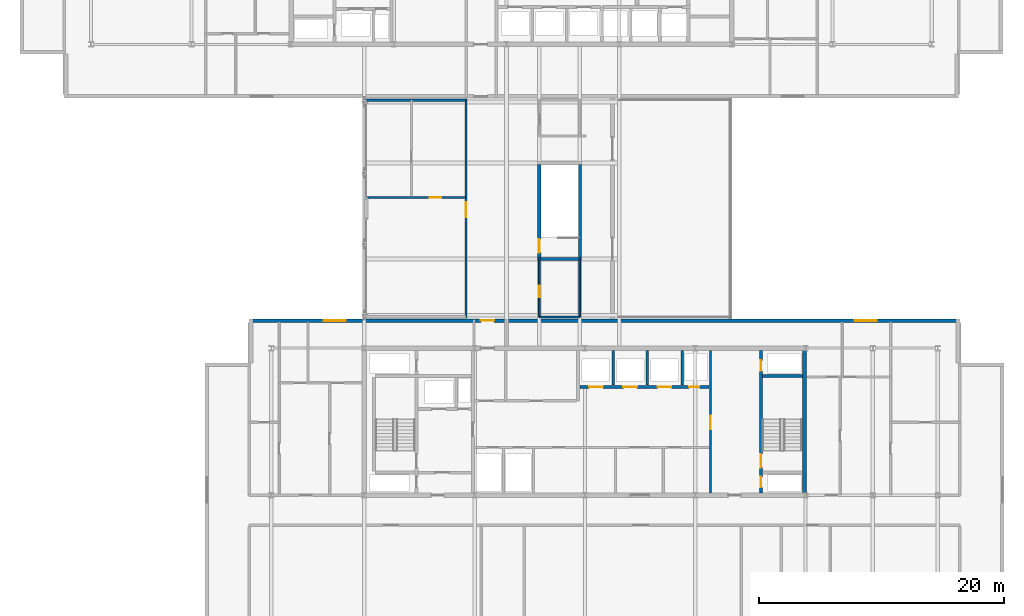
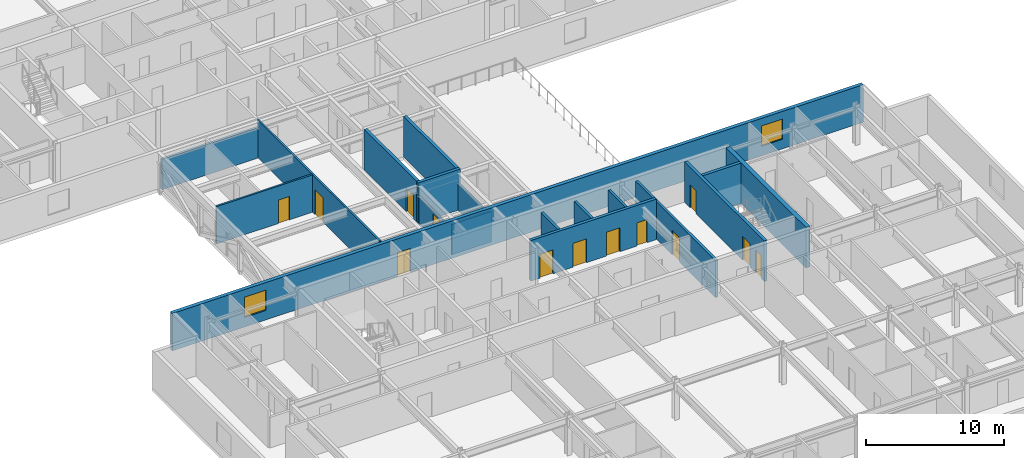
# One storey, part 14 of 28: 18 walls, 13 doors, 2 windows, 15 openings.
"""IFC4 building model written with IfcOpenShell, lengths in metres."""

from ifc_helpers import new_model, si_unit, direction, frame, frame_2d, origin, place, context, subcontext, project, spatial, rectangle, extrude, material, layer, layer_set, type_object, element, fill, save


model = new_model("IFC4")

# Units and contexts
model_context = context("Model", 3, precision=1e-05, world=origin(), true_north=direction((0.0, 1.0)))
body_context = subcontext(model_context, "Body", "Model", "MODEL_VIEW")
ifc_project = project(units=[si_unit("LENGTHUNIT", "METRE"), si_unit("AREAUNIT", "SQUARE_METRE"), si_unit("VOLUMEUNIT", "CUBIC_METRE"), si_unit("PLANEANGLEUNIT", "RADIAN"), si_unit("MASSUNIT", "GRAM", prefix="KILO")], contexts=[model_context])

# Site, building, storey
site_placement = place(None, origin())
site = spatial("IfcSite", under=ifc_project, at=site_placement, CompositionType="ELEMENT")
building_placement = place(site_placement, origin())
building = spatial("IfcBuilding", under=site, at=building_placement, Name="Korimba Cascade Residences", CompositionType="ELEMENT")
storey_placement = place(building_placement, frame((0.0, 0.0, 153.699951171875)))
storey = spatial("IfcBuildingStorey", under=building, at=storey_placement, Name="L44", CompositionType="ELEMENT", Elevation=153.699951171875)

# Wall, openings, door, windows
ifc_material_1 = material(Name="Precast concrete C40/50", Category="concrete")
ifc_layer_1 = layer(ifc_material_1, 0.300048828125)
ifc_layer_set_1 = layer_set([ifc_layer_1], Name="Precast concrete C40/50")
wall_type_1 = type_object("IfcWallType", Name="EW-STONE-300", PredefinedType="STANDARD", material=ifc_layer_set_1)
wall_1_placement = place(storey_placement, frame((130.699951171875, 32.64990234375, 0.0), z_axis=(0.0, 0.0, 1.0), x_axis=(-1.0, 0.0, 0.0)))
wall_1 = element("IfcWall", 1, at=wall_1_placement, inside=storey, type_object=wall_type_1, Name="L44 T2 Perimeter Stone Wall E06", PredefinedType="STANDARD", context=body_context, shape_type="SweptSolid", body=[
    extrude(rectangle(XDim=58.0, YDim=0.300048828125, at=frame_2d((29.0, 0.0))), origin(), (0.0, 0.0, 1.0), 3.320068359375),
])
opening_1_placement = place(wall_1_placement, frame((50.125, 0.0, 0.85009765625)))
opening_1 = element("IfcOpeningElement", 2, at=opening_1_placement, cuts=wall_1, Name="Opening W-02", PredefinedType="OPENING", context=body_context, shape_type="SweptSolid", body=[
    extrude(rectangle(XDim=1.800048828125, YDim=1.800048828125, at=frame_2d((0.89990234375, 0.89990234375))), frame((0.0, 0.16015625, 0.0), z_axis=(0.0, -1.0, 0.0), x_axis=(1.0, 0.0, 0.0)), (0.0, 0.0, 1.0), 0.320068359375),
])
opening_2_placement = place(wall_1_placement, frame((6.77490234375, 0.0, 0.85009765625)))
opening_2 = element("IfcOpeningElement", 3, at=opening_2_placement, cuts=wall_1, Name="Opening W-02", PredefinedType="OPENING", context=body_context, shape_type="SweptSolid", body=[
    extrude(rectangle(XDim=1.800048828125, YDim=1.800048828125, at=frame_2d((0.89990234375, 0.89990234375))), frame((0.0, 0.16015625, 0.0), z_axis=(0.0, -1.0, 0.0), x_axis=(1.0, 0.0, 0.0)), (0.0, 0.0, 1.0), 0.320068359375),
])
opening_3_placement = place(wall_1_placement, frame((38.0, 0.0, 0.0)))
opening_3 = element("IfcOpeningElement", 4, at=opening_3_placement, cuts=wall_1, Name="Opening D-BF1", PredefinedType="OPENING", context=body_context, shape_type="SweptSolid", body=[
    extrude(rectangle(XDim=1.10009765625, YDim=2.10009765625, at=frame_2d((0.550048828125, 1.050048828125))), frame((0.0, 0.16015625, 0.0), z_axis=(0.0, -1.0, 0.0), x_axis=(1.0, 0.0, 0.0)), (0.0, 0.0, 1.0), 0.320068359375),
])
ifc_material_2 = material(Name="Fire-Rated Steel Skybridge Link Door", Category="steel")
door_type_1 = type_object("IfcDoorType", Name="DR-BRG-FD120", OperationType="NOTDEFINED", PredefinedType="DOOR", material=ifc_material_2)
door_1_placement = place(opening_3_placement, origin())
door_1 = element("IfcDoor", 5, at=door_1_placement, inside=storey, type_object=door_type_1, Name="L44 Skybridge to Tower 2 Fire Door", OperationType="SINGLE_SWING_RIGHT", OverallHeight=2.10009765625, OverallWidth=1.10009765625, PredefinedType="DOOR", context=body_context, shape_type="SweptSolid", body=[
    extrude(rectangle(XDim=1.10009765625, YDim=2.10009765625, at=frame_2d((0.550048828125, 1.050048828125))), frame((0.0, 0.02490234375, 0.0), z_axis=(0.0, -1.0, 0.0), x_axis=(1.0, 0.0, 0.0)), (0.0, 0.0, 1.0), 0.050048828125),
])
fill(opening_3, door_1)
ifc_material_3 = material(Name="Double-Glazed Aluminium Window", Category="aluminium")
window_type = type_object("IfcWindowType", Name="WIN-BED-1800", PartitioningType="SINGLE_PANEL", PredefinedType="WINDOW", material=ifc_material_3)
window_1_placement = place(opening_1_placement, origin())
window_1 = element("IfcWindow", 6, at=window_1_placement, inside=storey, type_object=window_type, Name="L44 T2 North Corner Bedroom Window 1", OverallHeight=1.800048828125, OverallWidth=1.800048828125, PartitioningType="SINGLE_PANEL", PredefinedType="WINDOW", context=body_context, shape_type="SweptSolid", body=[
    extrude(rectangle(XDim=1.800048828125, YDim=1.800048828125, at=frame_2d((0.89990234375, 0.89990234375))), frame((0.0, 0.030029296875, 0.0), z_axis=(0.0, -1.0, 0.0), x_axis=(1.0, 0.0, 0.0)), (0.0, 0.0, 1.0), 0.06005859375),
])
fill(opening_1, window_1)
window_2_placement = place(opening_2_placement, origin())
window_2 = element("IfcWindow", 7, at=window_2_placement, inside=storey, type_object=window_type, Name="L44 T2 North Corner Bedroom Window 2", OverallHeight=1.800048828125, OverallWidth=1.800048828125, PartitioningType="SINGLE_PANEL", PredefinedType="WINDOW", context=body_context, shape_type="SweptSolid", body=[
    extrude(rectangle(XDim=1.800048828125, YDim=1.800048828125, at=frame_2d((0.89990234375, 0.89990234375))), frame((0.0, 0.030029296875, 0.0), z_axis=(0.0, -1.0, 0.0), x_axis=(1.0, 0.0, 0.0)), (0.0, 0.0, 1.0), 0.06005859375),
])
fill(opening_2, window_2)

# Walls
ifc_material_4 = material(Name="Concrete C65/80", Category="concrete")
ifc_layer_2 = layer(ifc_material_4, 0.35009765625)
ifc_layer_set_2 = layer_set([ifc_layer_2], Name="Concrete C65/80")
wall_type_2 = type_object("IfcWallType", Name="WAL-CORE-350", PredefinedType="SHEAR", material=ifc_layer_set_2)
wall_2_placement = place(storey_placement, frame((118.014892578125, 18.574951171875, 0.0), z_axis=(0.0, 0.0, 1.0), x_axis=(0.0, 1.0, 0.0)))
element("IfcWall", 8, at=wall_2_placement, inside=storey, type_object=wall_type_2, Name="L44 Core Shear Wall CW-L44-T2-E", PredefinedType="SHEAR", context=body_context, shape_type="SweptSolid", body=[
    extrude(rectangle(XDim=11.650146484375, YDim=0.35009765625, at=frame_2d((5.8251953125, 0.0))), origin(), (0.0, 0.0, 1.0), 3.60009765625),
])
ifc_material_5 = material(Name="Insulated Acoustic Stud Partition", Category="gypsum")
ifc_layer_3 = layer(ifc_material_5, 0.14990234375)
ifc_layer_set_3 = layer_set([ifc_layer_3], Name="Insulated Acoustic Stud Partition")
wall_type_3 = type_object("IfcWallType", Name="WAL-PART-150", PredefinedType="PARTITIONING", material=ifc_layer_set_3)
wall_3_placement = place(storey_placement, frame((96.375, 32.949951171875, 0.0), z_axis=(0.0, 0.0, 1.0), x_axis=(1.0, 0.0, 0.0)))
element("IfcWall", 9, at=wall_3_placement, inside=storey, type_object=wall_type_3, Name="L44 Partition Wall WAL-L44-BRG-WCS1", PredefinedType="PARTITIONING", context=body_context, shape_type="SweptSolid", body=[
    extrude(rectangle(XDim=3.31005859375, YDim=0.14990234375, at=frame_2d((1.655029296875, 0.0))), origin(), (0.0, 0.0, 1.0), 2.699951171875),
])

# Wall, opening, door
wall_4_placement = place(storey_placement, frame((96.375, 32.949951171875, 0.0), z_axis=(0.0, 0.0, 1.0), x_axis=(0.0, 1.0, 0.0)))
wall_4 = element("IfcWall", 10, at=wall_4_placement, inside=storey, type_object=wall_type_3, Name="L44 Partition Wall WAL-L44-BRG-WCW1", PredefinedType="PARTITIONING", context=body_context, shape_type="SweptSolid", body=[
    extrude(rectangle(XDim=4.72509765625, YDim=0.14990234375, at=frame_2d((2.362548828125, 0.0))), origin(), (0.0, 0.0, 1.0), 2.3935546875),
])
opening_4_placement = place(wall_4_placement, frame((1.60009765625, 0.0, 0.0)))
opening_4 = element("IfcOpeningElement", 11, at=opening_4_placement, cuts=wall_4, Name="Opening D-AC1", PredefinedType="OPENING", context=body_context, shape_type="SweptSolid", body=[
    extrude(rectangle(XDim=0.9599609375, YDim=2.10009765625, at=frame_2d((0.47998046875, 1.050048828125))), frame((0.0, 0.0849609375, 0.0), z_axis=(0.0, -1.0, 0.0), x_axis=(1.0, 0.0, 0.0)), (0.0, 0.0, 1.0), 0.169921875),
])
ifc_material_6 = material(Name="Accessible Acoustic Timber WC Door", Category="wood")
door_type_2 = type_object("IfcDoorType", Name="DR-ACC-950", OperationType="NOTDEFINED", PredefinedType="DOOR", material=ifc_material_6)
door_2_placement = place(opening_4_placement, origin())
door_2 = element("IfcDoor", 12, at=door_2_placement, inside=storey, type_object=door_type_2, Name="L44 Skybridge Accessible WC Door", OperationType="SINGLE_SWING_LEFT", OverallHeight=2.10009765625, OverallWidth=0.9599609375, PredefinedType="DOOR", context=body_context, shape_type="SweptSolid", body=[
    extrude(rectangle(XDim=0.9599609375, YDim=2.10009765625, at=frame_2d((0.47998046875, 1.050048828125))), frame((0.0, 0.02490234375, 0.0), z_axis=(0.0, -1.0, 0.0), x_axis=(1.0, 0.0, 0.0)), (0.0, 0.0, 1.0), 0.050048828125),
])
fill(opening_4, door_2)

# Wall
wall_5_placement = place(storey_placement, frame((99.68505859375, 32.949951171875, 0.0), z_axis=(0.0, 0.0, 1.0), x_axis=(0.0, 1.0, 0.0)))
element("IfcWall", 13, at=wall_5_placement, inside=storey, type_object=wall_type_3, Name="L44 Partition Wall WAL-L44-BRG-EE1", PredefinedType="PARTITIONING", context=body_context, shape_type="SweptSolid", body=[
    extrude(rectangle(XDim=4.72509765625, YDim=0.14990234375, at=frame_2d((2.362548828125, 0.0))), origin(), (0.0, 0.0, 1.0), 2.3935546875),
])

# Wall, opening, door
wall_6_placement = place(storey_placement, frame((90.39990234375, 32.89990234375, 0.0), z_axis=(0.0, 0.0, 1.0), x_axis=(0.0, 1.0, 0.0)))
wall_6 = element("IfcWall", 14, at=wall_6_placement, inside=storey, type_object=wall_type_3, Name="L44 Partition Wall WAL-L44-BRG-CORW", PredefinedType="PARTITIONING", context=body_context, shape_type="SweptSolid", body=[
    extrude(rectangle(XDim=17.800048828125, YDim=0.14990234375, at=frame_2d((8.89990234375, 0.0))), origin(), (0.0, 0.0, 1.0), 3.320068359375),
])
opening_5_placement = place(wall_6_placement, frame((8.199951171875, 0.0, 0.0)))
opening_5 = element("IfcOpeningElement", 15, at=opening_5_placement, cuts=wall_6, Name="Opening D-AM1", PredefinedType="OPENING", context=body_context, shape_type="SweptSolid", body=[
    extrude(rectangle(XDim=1.219970703125, YDim=2.179931640625, at=frame_2d((0.60986328125, 1.08984375))), frame((0.0, 0.0849609375, 0.0), z_axis=(0.0, -1.0, 0.0), x_axis=(1.0, 0.0, 0.0)), (0.0, 0.0, 1.0), 0.169921875),
])
ifc_material_7 = material(Name="Fire-Rated Glazed Timber Suite Door", Category="wood")
door_type_3 = type_object("IfcDoorType", Name="DR-FD60-1200", OperationType="NOTDEFINED", PredefinedType="DOOR", material=ifc_material_7)
door_3_placement = place(opening_5_placement, origin())
door_3 = element("IfcDoor", 16, at=door_3_placement, inside=storey, type_object=door_type_3, Name="L44 Skybridge West Wing Door", OperationType="SINGLE_SWING_LEFT", OverallHeight=2.179931640625, OverallWidth=1.219970703125, PredefinedType="DOOR", context=body_context, shape_type="SweptSolid", body=[
    extrude(rectangle(XDim=1.219970703125, YDim=2.179931640625, at=frame_2d((0.60986328125, 1.08984375))), frame((0.0, 0.02490234375, 0.0), z_axis=(0.0, -1.0, 0.0), x_axis=(1.0, 0.0, 0.0)), (0.0, 0.0, 1.0), 0.050048828125),
])
fill(opening_5, door_3)

wall_7_placement = place(storey_placement, frame((82.25, 42.699951171875, 0.0), z_axis=(0.0, 0.0, 1.0), x_axis=(1.0, 0.0, 0.0)))
wall_7 = element("IfcWall", 17, at=wall_7_placement, inside=storey, type_object=wall_type_3, Name="L44 Partition Wall WAL-L44-SPADIV", PredefinedType="PARTITIONING", context=body_context, shape_type="SweptSolid", body=[
    extrude(rectangle(XDim=8.10009765625, YDim=0.14990234375, at=frame_2d((4.050048828125, 0.0))), origin(), (0.0, 0.0, 1.0), 3.320068359375),
])
opening_6_placement = place(wall_7_placement, frame((5.199951171875, 0.0, 0.0)))
opening_6 = element("IfcOpeningElement", 18, at=opening_6_placement, cuts=wall_7, Name="Opening D-IN1", PredefinedType="OPENING", context=body_context, shape_type="SweptSolid", body=[
    extrude(rectangle(XDim=0.919921875, YDim=2.080078125, at=frame_2d((0.4599609375, 1.0400390625))), frame((0.0, 0.0849609375, 0.0), z_axis=(0.0, -1.0, 0.0), x_axis=(1.0, 0.0, 0.0)), (0.0, 0.0, 1.0), 0.169921875),
])
ifc_material_8 = material(Name="Acoustic Timber Living Door", Category="wood")
door_type_4 = type_object("IfcDoorType", Name="DR-INT-920", OperationType="NOTDEFINED", PredefinedType="DOOR", material=ifc_material_8)
door_4_placement = place(opening_6_placement, origin())
door_4 = element("IfcDoor", 19, at=door_4_placement, inside=storey, type_object=door_type_4, Name="L44 Sauna Clinic Door", OperationType="SINGLE_SWING_RIGHT", OverallHeight=2.080078125, OverallWidth=0.919921875, PredefinedType="DOOR", context=body_context, shape_type="SweptSolid", body=[
    extrude(rectangle(XDim=0.919921875, YDim=2.080078125, at=frame_2d((0.4599609375, 1.0400390625))), frame((0.0, 0.02490234375, 0.0), z_axis=(0.0, -1.0, 0.0), x_axis=(1.0, 0.0, 0.0)), (0.0, 0.0, 1.0), 0.050048828125),
])
fill(opening_6, door_4)

# Walls
ifc_material_9 = material(Name="Concrete C40/50", Category="concrete")
ifc_layer_4 = layer(ifc_material_9, 0.199951171875)
ifc_layer_set_4 = layer_set([ifc_layer_4], Name="Concrete C40/50")
wall_type_4 = type_object("IfcWallType", Name="WAL-PART-200", PredefinedType="PARTITIONING", material=ifc_layer_set_4)
for number, where, z_axis, x_axis, name in (
    (20, (102.39990234375, 27.3798828125, 0.0), (0.0, 0.0, 1.0), (0.0, 1.0, 0.0), "L44 Partition Wall CW-L44-T2-B2D1"),
    (21, (105.199951171875, 27.3798828125, 0.0), (0.0, 0.0, 1.0), (0.0, 1.0, 0.0), "L44 Partition Wall CW-L44-T2-B2D2"),
    (22, (108.050048828125, 27.3798828125, 0.0), (0.0, 0.0, 1.0), (0.0, 1.0, 0.0), "L44 Partition Wall CW-L44-T2-B2D3"),
):
    element("IfcWall", number, at=place(storey_placement, frame(where, z_axis=z_axis, x_axis=x_axis)), inside=storey, type_object=wall_type_4, Name=name, PredefinedType="PARTITIONING", context=body_context, shape_type="SweptSolid", body=[
        extrude(rectangle(XDim=2.820068359375, YDim=0.199951171875, at=frame_2d((1.41015625, 0.0))), origin(), (0.0, 0.0, 1.0), 3.320068359375),
    ])

# Wall, opening, door
wall_8_placement = place(storey_placement, frame((110.35009765625, 18.60009765625, 0.0), z_axis=(0.0, 0.0, 1.0), x_axis=(0.0, 1.0, 0.0)))
wall_8 = element("IfcWall", 23, at=wall_8_placement, inside=storey, type_object=wall_type_4, Name="L44 Partition Wall CW-L44-T2-LLEV", PredefinedType="PARTITIONING", context=body_context, shape_type="SweptSolid", body=[
    extrude(rectangle(XDim=11.599853515625, YDim=0.199951171875, at=frame_2d((5.7998046875, 0.0))), origin(), (0.0, 0.0, 1.0), 3.320068359375),
])
opening_7_placement = place(wall_8_placement, frame((5.199951171875, 0.0, 0.0)))
opening_7 = element("IfcOpeningElement", 24, at=opening_7_placement, cuts=wall_8, Name="Opening D-FD6", PredefinedType="OPENING", context=body_context, shape_type="SweptSolid", body=[
    extrude(rectangle(XDim=1.10009765625, YDim=2.14990234375, at=frame_2d((0.550048828125, 1.074951171875))), frame((0.0, 0.10986328125, 0.0), z_axis=(0.0, -1.0, 0.0), x_axis=(1.0, 0.0, 0.0)), (0.0, 0.0, 1.0), 0.219970703125),
])
ifc_material_10 = material(Name="Fire-Rated Timber Stair Lobby Door", Category="wood")
door_type_5 = type_object("IfcDoorType", Name="DR-FD90-1100", OperationType="NOTDEFINED", PredefinedType="DOOR", material=ifc_material_10)
door_5_placement = place(opening_7_placement, origin())
door_5 = element("IfcDoor", 25, at=door_5_placement, inside=storey, type_object=door_type_5, Name="L44 T2 Lift Lobby to East Stair Lobby Door", OperationType="SINGLE_SWING_LEFT", OverallHeight=2.14990234375, OverallWidth=1.10009765625, PredefinedType="DOOR", context=body_context, shape_type="SweptSolid", body=[
    extrude(rectangle(XDim=1.10009765625, YDim=2.14990234375, at=frame_2d((0.550048828125, 1.074951171875))), frame((0.0, 0.02490234375, 0.0), z_axis=(0.0, -1.0, 0.0), x_axis=(1.0, 0.0, 0.0)), (0.0, 0.0, 1.0), 0.050048828125),
])
fill(opening_7, door_5)

# Wall
wall_9_placement = place(storey_placement, frame((82.25, 50.64990234375, 0.0), z_axis=(0.0, 0.0, 1.0), x_axis=(1.0, 0.0, 0.0)))
element("IfcWall", 26, at=wall_9_placement, inside=storey, type_object=wall_type_4, Name="L44 Partition Wall WAL-L44-SPAN", PredefinedType="PARTITIONING", context=body_context, shape_type="SweptSolid", body=[
    extrude(rectangle(XDim=8.14990234375, YDim=0.199951171875, at=frame_2d((4.074951171875, 0.0))), origin(), (0.0, 0.0, 1.0), 2.699951171875),
])

# Wall, openings, doors
ifc_material_11 = material(Name="Concrete C50/60", Category="concrete")
ifc_layer_5 = layer(ifc_material_11, 0.25)
ifc_layer_set_5 = layer_set([ifc_layer_5], Name="Concrete C50/60")
wall_type_5 = type_object("IfcWallType", Name="WAL-SHAFT-250", PredefinedType="SHEAR", material=ifc_layer_set_5)
wall_10_placement = place(storey_placement, frame((99.679931640625, 27.25, 0.0), z_axis=(0.0, 0.0, 1.0), x_axis=(1.0, 0.0, 0.0)))
wall_10 = element("IfcWall", 27, at=wall_10_placement, inside=storey, type_object=wall_type_5, Name="L44 Core Shear Wall CW-L44-T2-B2S", PredefinedType="SHEAR", context=body_context, shape_type="SweptSolid", body=[
    extrude(rectangle(XDim=10.5400390625, YDim=0.25, at=frame_2d((5.27001953125, 0.0))), origin(), (0.0, 0.0, 1.0), 3.60009765625),
])
opening_8_placement = place(wall_10_placement, frame((0.760009765625, 0.0, 0.0)))
opening_8 = element("IfcOpeningElement", 28, at=opening_8_placement, cuts=wall_10, Name="Opening LD-01", PredefinedType="OPENING", context=body_context, shape_type="SweptSolid", body=[
    extrude(rectangle(XDim=1.1201171875, YDim=2.1201171875, at=frame_2d((0.56005859375, 1.06005859375))), frame((0.0, 0.135009765625, 0.0), z_axis=(0.0, -1.0, 0.0), x_axis=(1.0, 0.0, 0.0)), (0.0, 0.0, 1.0), 0.27001953125),
])
opening_9_placement = place(wall_10_placement, frame((3.56005859375, 0.0, 0.0)))
opening_9 = element("IfcOpeningElement", 29, at=opening_9_placement, cuts=wall_10, Name="Opening LD-01", PredefinedType="OPENING", context=body_context, shape_type="SweptSolid", body=[
    extrude(rectangle(XDim=1.1201171875, YDim=2.1201171875, at=frame_2d((0.56005859375, 1.06005859375))), frame((0.0, 0.135009765625, 0.0), z_axis=(0.0, -1.0, 0.0), x_axis=(1.0, 0.0, 0.0)), (0.0, 0.0, 1.0), 0.27001953125),
])
opening_10_placement = place(wall_10_placement, frame((6.360107421875, 0.0, 0.0)))
opening_10 = element("IfcOpeningElement", 30, at=opening_10_placement, cuts=wall_10, Name="Opening LD-01", PredefinedType="OPENING", context=body_context, shape_type="SweptSolid", body=[
    extrude(rectangle(XDim=1.1201171875, YDim=2.1201171875, at=frame_2d((0.56005859375, 1.06005859375))), frame((0.0, 0.135009765625, 0.0), z_axis=(0.0, -1.0, 0.0), x_axis=(1.0, 0.0, 0.0)), (0.0, 0.0, 1.0), 0.27001953125),
])
opening_11_placement = place(wall_10_placement, frame((8.919921875, 0.0, 0.0)))
opening_11 = element("IfcOpeningElement", 31, at=opening_11_placement, cuts=wall_10, Name="Opening D-RS1", PredefinedType="OPENING", context=body_context, shape_type="SweptSolid", body=[
    extrude(rectangle(XDim=0.85009765625, YDim=2.050048828125, at=frame_2d((0.425048828125, 1.02490234375))), frame((0.0, 0.135009765625, 0.0), z_axis=(0.0, -1.0, 0.0), x_axis=(1.0, 0.0, 0.0)), (0.0, 0.0, 1.0), 0.27001953125),
])
ifc_material_12 = material(Name="Fire-Rated Steel Riser Access Door", Category="steel")
door_type_6 = type_object("IfcDoorType", Name="DR-FD60-850", OperationType="NOTDEFINED", PredefinedType="DOOR", material=ifc_material_12)
door_6_placement = place(opening_11_placement, origin())
door_6 = element("IfcDoor", 32, at=door_6_placement, inside=storey, type_object=door_type_6, Name="L44 T2 Duct Door", OperationType="SINGLE_SWING_RIGHT", OverallHeight=2.050048828125, OverallWidth=0.85009765625, PredefinedType="DOOR", context=body_context, shape_type="SweptSolid", body=[
    extrude(rectangle(XDim=0.85009765625, YDim=2.050048828125, at=frame_2d((0.425048828125, 1.02490234375))), frame((0.0, 0.02490234375, 0.0), z_axis=(0.0, -1.0, 0.0), x_axis=(1.0, 0.0, 0.0)), (0.0, 0.0, 1.0), 0.050048828125),
])
fill(opening_11, door_6)
ifc_material_13 = material(Name="Stainless Steel Lift Landing Sliding Door", Category="steel")
door_type_7 = type_object("IfcDoorType", Name="DR-LIFT-1100", OperationType="NOTDEFINED", PredefinedType="DOOR", material=ifc_material_13)
door_7_placement = place(opening_8_placement, origin())
door_7 = element("IfcDoor", 33, at=door_7_placement, inside=storey, type_object=door_type_7, Name="L44 Lift Landing Door PL-E4", OperationType="SLIDING_TO_RIGHT", OverallHeight=2.1201171875, OverallWidth=1.1201171875, PredefinedType="DOOR", context=body_context, shape_type="SweptSolid", body=[
    extrude(rectangle(XDim=1.1201171875, YDim=2.1201171875, at=frame_2d((0.56005859375, 1.06005859375))), frame((0.0, 0.02490234375, 0.0), z_axis=(0.0, -1.0, 0.0), x_axis=(1.0, 0.0, 0.0)), (0.0, 0.0, 1.0), 0.050048828125),
])
fill(opening_8, door_7)
door_8_placement = place(opening_9_placement, origin())
door_8 = element("IfcDoor", 34, at=door_8_placement, inside=storey, type_object=door_type_7, Name="L44 Lift Landing Door PL-E5", OperationType="SLIDING_TO_RIGHT", OverallHeight=2.1201171875, OverallWidth=1.1201171875, PredefinedType="DOOR", context=body_context, shape_type="SweptSolid", body=[
    extrude(rectangle(XDim=1.1201171875, YDim=2.1201171875, at=frame_2d((0.56005859375, 1.06005859375))), frame((0.0, 0.02490234375, 0.0), z_axis=(0.0, -1.0, 0.0), x_axis=(1.0, 0.0, 0.0)), (0.0, 0.0, 1.0), 0.050048828125),
])
fill(opening_9, door_8)
door_9_placement = place(opening_10_placement, origin())
door_9 = element("IfcDoor", 35, at=door_9_placement, inside=storey, type_object=door_type_7, Name="L44 Lift Landing Door PL-E6", OperationType="SLIDING_TO_RIGHT", OverallHeight=2.1201171875, OverallWidth=1.1201171875, PredefinedType="DOOR", context=body_context, shape_type="SweptSolid", body=[
    extrude(rectangle(XDim=1.1201171875, YDim=2.1201171875, at=frame_2d((0.56005859375, 1.06005859375))), frame((0.0, 0.02490234375, 0.0), z_axis=(0.0, -1.0, 0.0), x_axis=(1.0, 0.0, 0.0)), (0.0, 0.0, 1.0), 0.050048828125),
])
fill(opening_10, door_9)

wall_11_placement = place(storey_placement, frame((114.47509765625, 18.60009765625, 0.0), z_axis=(0.0, 0.0, 1.0), x_axis=(0.0, 1.0, 0.0)))
wall_11 = element("IfcWall", 36, at=wall_11_placement, inside=storey, type_object=wall_type_5, Name="L44 Core Shear Wall CW-L44-T2-STE2W", PredefinedType="SHEAR", context=body_context, shape_type="SweptSolid", body=[
    extrude(rectangle(XDim=11.599853515625, YDim=0.25, at=frame_2d((5.7998046875, 0.0))), origin(), (0.0, 0.0, 1.0), 3.60009765625),
])
opening_12_placement = place(wall_11_placement, frame((0.449951171875, 0.0, 0.0)))
opening_12 = element("IfcOpeningElement", 37, at=opening_12_placement, cuts=wall_11, Name="Opening D-RS1", PredefinedType="OPENING", context=body_context, shape_type="SweptSolid", body=[
    extrude(rectangle(XDim=0.85009765625, YDim=2.050048828125, at=frame_2d((0.425048828125, 1.02490234375))), frame((0.0, 0.135009765625, 0.0), z_axis=(0.0, -1.0, 0.0), x_axis=(1.0, 0.0, 0.0)), (0.0, 0.0, 1.0), 0.27001953125),
])
opening_13_placement = place(wall_11_placement, frame((2.050048828125, 0.0, 0.0)))
opening_13 = element("IfcOpeningElement", 38, at=opening_13_placement, cuts=wall_11, Name="Opening D-FD1", PredefinedType="OPENING", context=body_context, shape_type="SweptSolid", body=[
    extrude(rectangle(XDim=1.10009765625, YDim=2.10009765625, at=frame_2d((0.550048828125, 1.050048828125))), frame((0.0, 0.135009765625, 0.0), z_axis=(0.0, -1.0, 0.0), x_axis=(1.0, 0.0, 0.0)), (0.0, 0.0, 1.0), 0.27001953125),
])
opening_14_placement = place(wall_11_placement, frame((9.949951171875, 0.0, 0.0)))
opening_14 = element("IfcOpeningElement", 39, at=opening_14_placement, cuts=wall_11, Name="Opening D-RS1", PredefinedType="OPENING", context=body_context, shape_type="SweptSolid", body=[
    extrude(rectangle(XDim=0.85009765625, YDim=2.050048828125, at=frame_2d((0.425048828125, 1.02490234375))), frame((0.0, 0.135009765625, 0.0), z_axis=(0.0, -1.0, 0.0), x_axis=(1.0, 0.0, 0.0)), (0.0, 0.0, 1.0), 0.27001953125),
])
ifc_material_14 = material(Name="Fire-Rated Steel Core Door", Category="steel")
door_type_8 = type_object("IfcDoorType", Name="DR-FD120-1100", OperationType="NOTDEFINED", PredefinedType="DOOR", material=ifc_material_14)
door_10_placement = place(opening_13_placement, origin())
door_10 = element("IfcDoor", 40, at=door_10_placement, inside=storey, type_object=door_type_8, Name="L44 Fire Stair ST-E2 Door", OperationType="SINGLE_SWING_LEFT", OverallHeight=2.10009765625, OverallWidth=1.10009765625, PredefinedType="DOOR", context=body_context, shape_type="SweptSolid", body=[
    extrude(rectangle(XDim=1.10009765625, YDim=2.10009765625, at=frame_2d((0.550048828125, 1.050048828125))), frame((0.0, 0.02490234375, 0.0), z_axis=(0.0, -1.0, 0.0), x_axis=(1.0, 0.0, 0.0)), (0.0, 0.0, 1.0), 0.050048828125),
])
fill(opening_13, door_10)
door_11_placement = place(opening_12_placement, origin())
door_11 = element("IfcDoor", 41, at=door_11_placement, inside=storey, type_object=door_type_6, Name="L44 T2 East Hydrant Door", OperationType="SINGLE_SWING_RIGHT", OverallHeight=2.050048828125, OverallWidth=0.85009765625, PredefinedType="DOOR", context=body_context, shape_type="SweptSolid", body=[
    extrude(rectangle(XDim=0.85009765625, YDim=2.050048828125, at=frame_2d((0.425048828125, 1.02490234375))), frame((0.0, 0.02490234375, 0.0), z_axis=(0.0, -1.0, 0.0), x_axis=(1.0, 0.0, 0.0)), (0.0, 0.0, 1.0), 0.050048828125),
])
fill(opening_12, door_11)
door_12_placement = place(opening_14_placement, origin())
door_12 = element("IfcDoor", 42, at=door_12_placement, inside=storey, type_object=door_type_6, Name="L44 T2 East Riser Door", OperationType="SINGLE_SWING_RIGHT", OverallHeight=2.050048828125, OverallWidth=0.85009765625, PredefinedType="DOOR", context=body_context, shape_type="SweptSolid", body=[
    extrude(rectangle(XDim=0.85009765625, YDim=2.050048828125, at=frame_2d((0.425048828125, 1.02490234375))), frame((0.0, 0.02490234375, 0.0), z_axis=(0.0, -1.0, 0.0), x_axis=(1.0, 0.0, 0.0)), (0.0, 0.0, 1.0), 0.050048828125),
])
fill(opening_14, door_12)

# Wall
wall_12_placement = place(storey_placement, frame((114.60009765625, 28.125, 0.0), z_axis=(0.0, 0.0, 1.0), x_axis=(1.0, 0.0, 0.0)))
element("IfcWall", 43, at=wall_12_placement, inside=storey, type_object=wall_type_5, Name="L44 Core Shear Wall CW-L44-T2-STE2N", PredefinedType="SHEAR", context=body_context, shape_type="SweptSolid", body=[
    extrude(rectangle(XDim=3.239990234375, YDim=0.25, at=frame_2d((1.6201171875, 0.0))), origin(), (0.0, 0.0, 1.0), 3.60009765625),
])

# Wall, opening, door
wall_13_placement = place(storey_placement, frame((96.375, 37.800048828125, 0.0), z_axis=(0.0, 0.0, 1.0), x_axis=(0.0, 1.0, 0.0)))
wall_13 = element("IfcWall", 44, at=wall_13_placement, inside=storey, type_object=wall_type_5, Name="L44 Core Shear Wall CW-L44-STBR1W", PredefinedType="SHEAR", context=body_context, shape_type="SweptSolid", body=[
    extrude(rectangle(XDim=7.599853515625, YDim=0.25, at=frame_2d((3.7998046875, 0.0))), origin(), (0.0, 0.0, 1.0), 3.60009765625),
])
opening_15_placement = place(wall_13_placement, frame((0.39990234375, 0.0, 0.0)))
opening_15 = element("IfcOpeningElement", 45, at=opening_15_placement, cuts=wall_13, Name="Opening D-FD1", PredefinedType="OPENING", context=body_context, shape_type="SweptSolid", body=[
    extrude(rectangle(XDim=1.10009765625, YDim=2.10009765625, at=frame_2d((0.550048828125, 1.050048828125))), frame((0.0, 0.135009765625, 0.0), z_axis=(0.0, -1.0, 0.0), x_axis=(1.0, 0.0, 0.0)), (0.0, 0.0, 1.0), 0.27001953125),
])
door_13_placement = place(opening_15_placement, origin())
door_13 = element("IfcDoor", 46, at=door_13_placement, inside=storey, type_object=door_type_8, Name="L44 Skybridge Stair Door", OperationType="SINGLE_SWING_RIGHT", OverallHeight=2.10009765625, OverallWidth=1.10009765625, PredefinedType="DOOR", context=body_context, shape_type="SweptSolid", body=[
    extrude(rectangle(XDim=1.10009765625, YDim=2.10009765625, at=frame_2d((0.550048828125, 1.050048828125))), frame((0.0, 0.02490234375, 0.0), z_axis=(0.0, -1.0, 0.0), x_axis=(1.0, 0.0, 0.0)), (0.0, 0.0, 1.0), 0.050048828125),
])
fill(opening_15, door_13)

# Walls
wall_14_placement = place(storey_placement, frame((99.68505859375, 37.800048828125, 0.0), z_axis=(0.0, 0.0, 1.0), x_axis=(0.0, 1.0, 0.0)))
element("IfcWall", 47, at=wall_14_placement, inside=storey, type_object=wall_type_5, Name="L44 Core Shear Wall CW-L44-STBR1E", PredefinedType="SHEAR", context=body_context, shape_type="SweptSolid", body=[
    extrude(rectangle(XDim=7.599853515625, YDim=0.25, at=frame_2d((3.7998046875, 0.0))), origin(), (0.0, 0.0, 1.0), 3.60009765625),
])
wall_15_placement = place(storey_placement, frame((96.25, 37.675048828125, 0.0), z_axis=(0.0, 0.0, 1.0), x_axis=(1.0, 0.0, 0.0)))
element("IfcWall", 48, at=wall_15_placement, inside=storey, type_object=wall_type_5, Name="L44 Core Shear Wall CW-L44-STBR1S", PredefinedType="SHEAR", context=body_context, shape_type="SweptSolid", body=[
    extrude(rectangle(XDim=3.56005859375, YDim=0.25, at=frame_2d((1.780029296875, 0.0))), origin(), (0.0, 0.0, 1.0), 3.60009765625),
])

save(model, "model.ifc")
